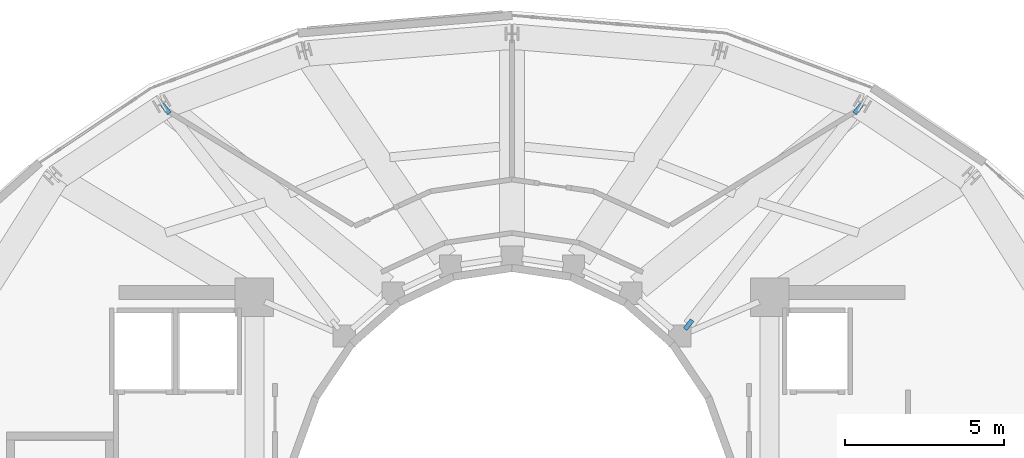
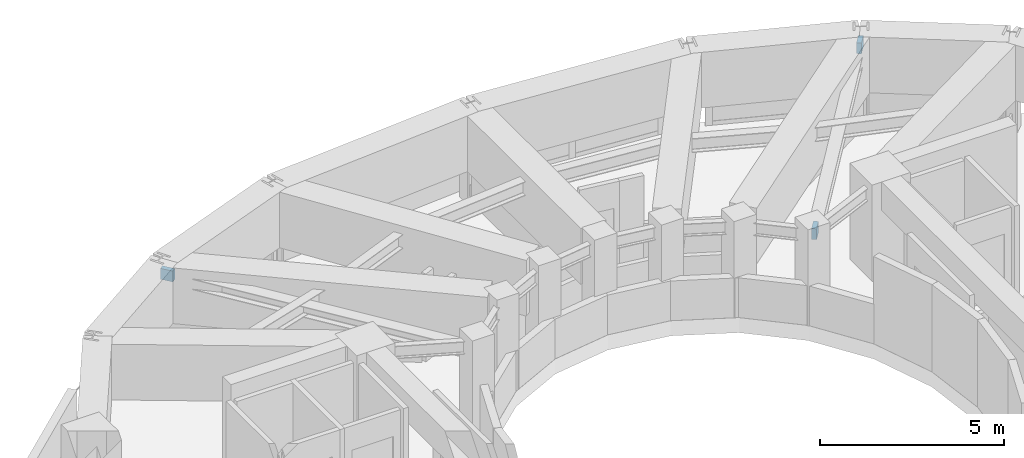
# One storey, part 18 of 21: 3 discrete accessories.
"""IFC4 building model written with IfcOpenShell, lengths in metres."""

from ifc_helpers import new_model, si_unit, direction, frame, origin, origin_2d, place, context, subcontext, project, spatial, rectangle, extrude, material, layer, layer_set, type_object, element, save


model = new_model("IFC4")

# Units and contexts
model_context = context("Model", 3, precision=1e-05, world=origin(), true_north=direction((0.0, 1.0)))
body_context = subcontext(model_context, "Body", "Model", "MODEL_VIEW")
ifc_project = project(units=[si_unit("LENGTHUNIT", "METRE"), si_unit("AREAUNIT", "SQUARE_METRE"), si_unit("VOLUMEUNIT", "CUBIC_METRE"), si_unit("PLANEANGLEUNIT", "RADIAN"), si_unit("MASSUNIT", "GRAM", prefix="KILO")], contexts=[model_context])

# Site, building, storey
site_placement = place(None, origin())
site = spatial("IfcSite", under=ifc_project, at=site_placement, CompositionType="ELEMENT")
building_placement = place(site_placement, origin())
building = spatial("IfcBuilding", under=site, at=building_placement, Name="Solvane Sanctuary Tower", CompositionType="ELEMENT")
storey_placement = place(building_placement, frame((0.0, 0.0, 260.39990234375)))
storey = spatial("IfcBuildingStorey", under=building, at=storey_placement, Name="L79", CompositionType="ELEMENT", Elevation=260.39990234375)

# Discrete accessories
ifc_material = material(Name="Steel ASTM A572 Grade 50", Category="steel")
ifc_layer = layer(ifc_material, 0.360107421875, Name="Steel ASTM A572 Grade 50")
ifc_layer_set = layer_set([ifc_layer], Name="Steel ASTM A572 Grade 50")
discrete_accessory_type = type_object("IfcDiscreteAccessoryType", Name="Accessory ACC-GUSSET-BRK", PredefinedType="BRACKET", material=ifc_layer_set)
for number, where, z_axis, x_axis, name in (
    (1, (37.552978515625, 29.3359375, 2.3603515625), (0.0, 0.0, 1.0), (0.61772237046, 0.786396257006, 0.0), "L79 Crown Bracing Tie 01 End Gusset Bracket A"),
    (2, (42.880615234375, 36.117919921875, 2.55517578125), (0.0, 0.0, 1.0), (0.61772237046, 0.786396257006, 0.0), "L79 Crown Bracing Tie 01 End Gusset Bracket B"),
    (3, (21.119384765625, 36.117919921875, 2.55517578125), (0.0, 0.0, 1.0), (-0.61772237046, 0.786396257006, 0.0), "L79 Crown Bracing Tie 07 End Gusset Bracket B"),
):
    element("IfcDiscreteAccessory", number, at=place(storey_placement, frame(where, z_axis=z_axis, x_axis=x_axis)), inside=storey, type_object=discrete_accessory_type, Name=name, PredefinedType="BRACKET", context=body_context, shape_type="SweptSolid", body=[
        extrude(rectangle(XDim=0.360107421875, YDim=0.139892578125, at=origin_2d()), origin(), (0.0, 0.0, 1.0), 0.360107421875),
    ])

save(model, "model.ifc")
